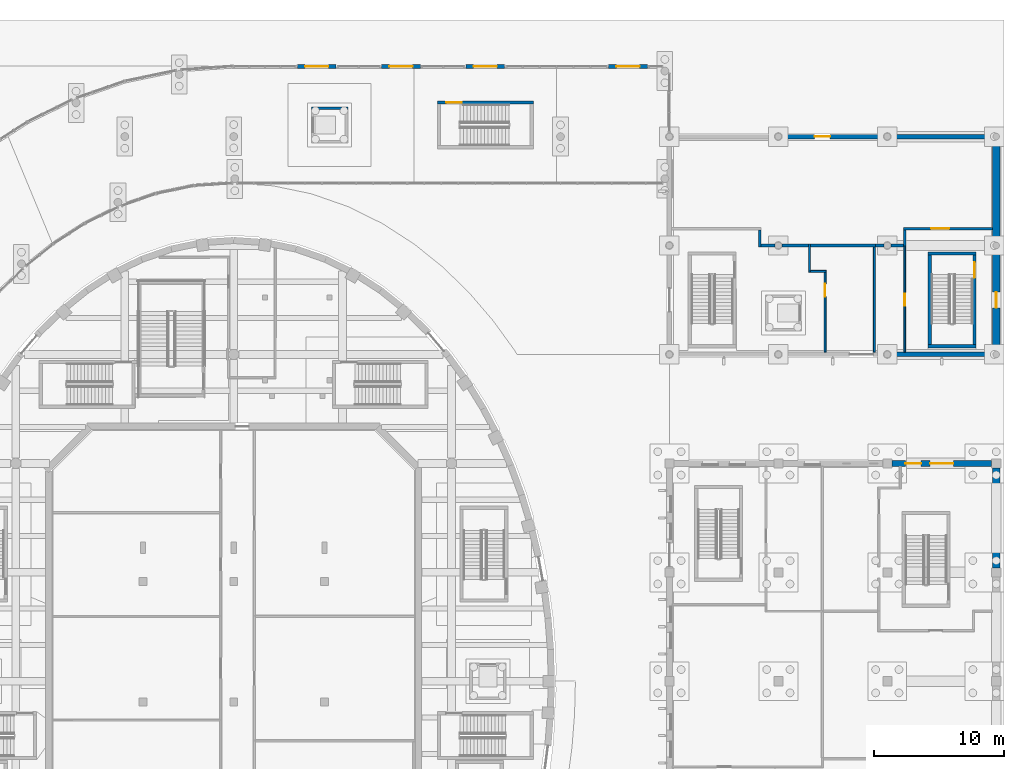
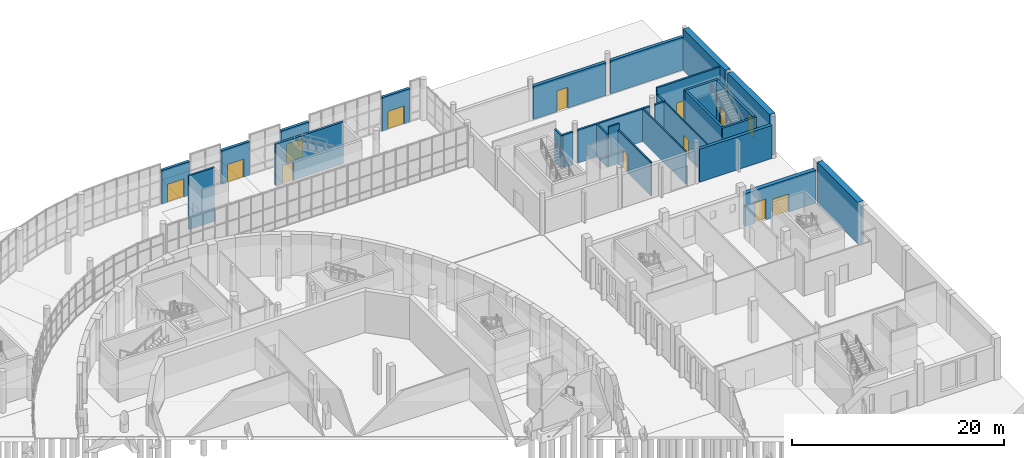
# One storey, part 68 of 110: 30 walls, 13 doors, 13 openings.
"""IFC4 building model written with IfcOpenShell, lengths in metres."""

import ifcopenshell
import ifcopenshell.guid

model = None  # the IFC model being written
_history = None  # IfcOwnerHistory: only IFC2X3 demands one
_inside = {}  # id of a spatial element -> (the spatial element, [elements in it])
_under = {}  # id of a project, library or spatial element -> (it, [spatial elements below it])
_declared = {}  # id of a project -> (the project, [libraries it declares])
_typed = {}  # id of a type object -> (the type object, [elements of that type])
_made_of = {}  # id of a material, layer set ... -> (it, [elements and type objects made of it])


def new_model(schema):
    """Start an empty IFC model of exactly this schema.

    Asked for "IFC4X3", IfcOpenShell would pick the latest addendum, in which some entities
    have other attributes; the version numbers below select the first issue.
    IFC2X3 requires an IfcOwnerHistory on every rooted entity: one is made here for all.
    """
    global model, _history
    if schema == "IFC4X3":
        model = ifcopenshell.file(schema_version=(4, 3, 0, 0))
    else:
        model = ifcopenshell.file(schema=schema)
    _inside.clear()
    _under.clear()
    _declared.clear()
    _typed.clear()
    _made_of.clear()
    _history = None
    if model.schema == "IFC2X3":
        org = make("IfcOrganization", Name="unknown")
        user = make(
            "IfcPersonAndOrganization",
            ThePerson=make("IfcPerson", FamilyName="unknown"),
            TheOrganization=org,
        )
        app = make(
            "IfcApplication",
            ApplicationDeveloper=org,
            Version="unknown",
            ApplicationFullName="unknown",
            ApplicationIdentifier="unknown",
        )
        _history = make(
            "IfcOwnerHistory",
            OwningUser=user,
            OwningApplication=app,
            ChangeAction="ADDED",
            CreationDate=0,
        )
    return model


def make(cls, **values):
    """One entity of the class cls with the attributes given. An attribute that is None is left unset."""
    return model.create_entity(
        cls, **{name: value for name, value in values.items() if value is not None}
    )


def rooted(cls, **values):
    """An entity with a GlobalId (a new one), such as an element, a storey or a relation."""
    return make(cls, GlobalId=ifcopenshell.guid.new(), OwnerHistory=_history, **values)


def si_unit(unit_type, name, prefix=None):
    """IfcSIUnit, for example si_unit("LENGTHUNIT", "METRE", prefix="MILLI")."""
    return make("IfcSIUnit", UnitType=unit_type, Prefix=prefix, Name=name)


def assignment(units):
    """IfcUnitAssignment: the units of a project."""
    return None if units is None else make("IfcUnitAssignment", Units=units)


def point(xyz):
    """IfcCartesianPoint."""
    return None if xyz is None else make("IfcCartesianPoint", Coordinates=xyz)


def direction(xyz):
    """IfcDirection."""
    return None if xyz is None else make("IfcDirection", DirectionRatios=xyz)


def frame(location, z_axis=None, x_axis=None):
    """IfcAxis2Placement3D, a coordinate frame: its origin and axes. An axis left out is left unset."""
    return make(
        "IfcAxis2Placement3D",
        Location=point(location),
        Axis=direction(z_axis),
        RefDirection=direction(x_axis),
    )


def frame_2d(location, x_axis=None):
    """IfcAxis2Placement2D, a coordinate frame in the plane: its origin and x axis."""
    return make(
        "IfcAxis2Placement2D", Location=point(location), RefDirection=direction(x_axis)
    )


def origin():
    """The frame at (0, 0, 0) with its axes left unset."""
    return frame((0.0, 0.0, 0.0))


def place(relative_to, where):
    """IfcLocalPlacement: puts the frame where relative to a parent placement (None: the world)."""
    return make(
        "IfcLocalPlacement", PlacementRelTo=relative_to, RelativePlacement=where
    )


def context(
    kind, dimensions, precision=None, world=None, true_north=None, identifier=None
):
    """IfcGeometricRepresentationContext, for example the 3D "Model" context."""
    return make(
        "IfcGeometricRepresentationContext",
        ContextIdentifier=identifier,
        ContextType=kind,
        CoordinateSpaceDimension=dimensions,
        Precision=precision,
        WorldCoordinateSystem=world,
        TrueNorth=true_north,
    )


def subcontext(parent, identifier, kind, view, scale=None):
    """IfcGeometricRepresentationSubContext, for example "Body" below "Model"."""
    return make(
        "IfcGeometricRepresentationSubContext",
        ContextIdentifier=identifier,
        ContextType=kind,
        ParentContext=parent,
        TargetScale=scale,
        TargetView=view,
    )


def project(units=None, contexts=None):
    """IfcProject with its units and contexts."""
    return rooted(
        "IfcProject",
        Name="project",
        RepresentationContexts=contexts,
        UnitsInContext=assignment(units),
    )


def spatial(cls, under=None, at=None, **own):
    """A site, building, storey or space (cls), placed at a placement, below another one or the project."""
    s = rooted(cls, ObjectPlacement=at, **own)
    if under is not None:
        _under.setdefault(under.id(), (under, []))[1].append(s)
    return s


def profile(cls, at=None, kind="AREA", **sizes):
    """A parametric profile (cls). Its sizes go by their IFC names, for example OverallWidth=200.0."""
    return make(cls, ProfileType=kind, Position=at, **sizes)


def rectangle(**sizes):
    """IfcRectangleProfileDef."""
    return profile("IfcRectangleProfileDef", **sizes)


def extrude(swept, where, along, depth):
    """IfcExtrudedAreaSolid: the profile swept, set in the frame where, extruded along a direction by depth."""
    return make(
        "IfcExtrudedAreaSolid",
        SweptArea=swept,
        Position=where,
        ExtrudedDirection=direction(along),
        Depth=depth,
    )


def shape(context_of_items, identifier, shape_type, items):
    """IfcShapeRepresentation: the items that make up one representation, for example the "Body"."""
    return make(
        "IfcShapeRepresentation",
        ContextOfItems=context_of_items,
        RepresentationIdentifier=identifier,
        RepresentationType=shape_type,
        Items=items,
    )


def material(Name=None, Category=None):
    """IfcMaterial."""
    return make("IfcMaterial", Name=Name, Category=Category)


def layer(
    of_material, thickness, ventilated=None, Name=None, Category=None, Priority=None
):
    """IfcMaterialLayer: one layer of a wall or slab, of a material (None: an air gap)."""
    return make(
        "IfcMaterialLayer",
        Material=of_material,
        LayerThickness=thickness,
        IsVentilated=ventilated,
        Name=Name,
        Category=Category,
        Priority=Priority,
    )


def layer_set(layers, Name=None):
    """IfcMaterialLayerSet."""
    return make("IfcMaterialLayerSet", MaterialLayers=layers, LayerSetName=Name)


def made_of(thing, what):
    """Note that an element or type object is made of a material, layer set ...; save() writes the relation."""
    if what is not None:
        _made_of.setdefault(what.id(), (what, []))[1].append(thing)
    return thing


def type_object(cls, material=None, **own):
    """A type object (cls), such as IfcWallType, which elements share."""
    return made_of(rooted(cls, **own), material)


def element(
    cls,
    number,
    at=None,
    inside=None,
    cuts=None,
    type_object=None,
    material=None,
    context=None,
    identifier="Body",
    shape_type=None,
    held_by="IfcProductDefinitionShape",
    body=None,
    shapes=None,
    **own,
):
    """One element of the class cls, such as IfcWall. Its Tag is "e" and its number.

    at: its placement. inside: the storey or other place that contains it. cuts: it is an
    opening in that element (IfcRelVoidsElement). A single representation is given by context,
    identifier, shape_type and body (its items); several are given by shapes. held_by: the class
    of the entity that holds the representations. save() writes the other relations.
    """
    e = rooted(cls, Tag="e%d" % number, ObjectPlacement=at, **own)
    if body is not None:
        shapes = [shape(context, identifier, shape_type, body)]
    if shapes is not None:
        e.Representation = make(held_by, Representations=shapes)
    if inside is not None:
        _inside.setdefault(inside.id(), (inside, []))[1].append(e)
    if cuts is not None:
        rooted(
            "IfcRelVoidsElement", RelatingBuildingElement=cuts, RelatedOpeningElement=e
        )
    if type_object is not None:
        _typed.setdefault(type_object.id(), (type_object, []))[1].append(e)
    return made_of(e, material)


def fill(opening, filler):
    """IfcRelFillsElement: the door or window that sits in an opening."""
    return rooted(
        "IfcRelFillsElement",
        RelatingOpeningElement=opening,
        RelatedBuildingElement=filler,
    )


def aggregate(whole, parts):
    """IfcRelAggregates: a whole, such as a stair, and the parts it consists of."""
    return rooted("IfcRelAggregates", RelatingObject=whole, RelatedObjects=parts)


def save(model, path):
    """Write the relations noted so far, then the file.

    IfcRelAggregates (storeys below a building ...), IfcRelContainedInSpatialStructure (elements
    in a storey), IfcRelDefinesByType, IfcRelAssociatesMaterial and IfcRelDeclares: one each for
    every whole, place, type object, material and project.
    """
    for whole, parts in _under.values():
        aggregate(whole, parts)
    for where, things in _inside.values():
        rooted(
            "IfcRelContainedInSpatialStructure",
            RelatedElements=things,
            RelatingStructure=where,
        )
    for kind, things in _typed.values():
        rooted("IfcRelDefinesByType", RelatedObjects=things, RelatingType=kind)
    for what, things in _made_of.values():
        rooted("IfcRelAssociatesMaterial", RelatedObjects=things, RelatingMaterial=what)
    for by, libraries in _declared.values():
        rooted("IfcRelDeclares", RelatingContext=by, RelatedDefinitions=libraries)
    model.write(path)


model = new_model("IFC4")

# Units and contexts
model_context = context("Model", 3, precision=1e-05, world=origin(), true_north=direction((0.0, 1.0)))
body_context = subcontext(model_context, "Body", "Model", "MODEL_VIEW")
ifc_project = project(units=[si_unit("LENGTHUNIT", "METRE"), si_unit("AREAUNIT", "SQUARE_METRE"), si_unit("VOLUMEUNIT", "CUBIC_METRE"), si_unit("PLANEANGLEUNIT", "RADIAN"), si_unit("MASSUNIT", "GRAM", prefix="KILO")], contexts=[model_context])

# Site, building, storey
site_placement = place(None, origin())
site = spatial("IfcSite", under=ifc_project, at=site_placement, CompositionType="ELEMENT")
building_placement = place(site_placement, origin())
building = spatial("IfcBuilding", under=site, at=building_placement, Name="Larchfold Concert Hall", CompositionType="ELEMENT")
storey_placement = place(building_placement, origin())
storey = spatial("IfcBuildingStorey", under=building, at=storey_placement, Name="L00", CompositionType="ELEMENT", Elevation=0.0)

# Walls
ifc_material_1 = material(Name="Plasterboard partition on steel studs", Category="steel")
ifc_layer_1 = layer(ifc_material_1, 0.199951171875)
ifc_layer_set_1 = layer_set([ifc_layer_1], Name="Plasterboard partition on steel studs")
wall_type_1 = type_object("IfcWallType", Name="Acoustic partition 200", PredefinedType="PARTITIONING", material=ifc_layer_set_1)
wall_1_placement = place(storey_placement, frame((83.149658203125, 119.39892578125, 0.0), z_axis=(0.0, 0.0, 1.0), x_axis=(0.005267045074, -0.999986129022, 0.0)))
element("IfcWall", 1, at=wall_1_placement, inside=storey, type_object=wall_type_1, Name="Partition IW0099", PredefinedType="PARTITIONING", context=body_context, shape_type="SweptSolid", body=[
    extrude(rectangle(XDim=1.2978515625, YDim=0.199951171875, at=frame_2d((0.64892578125, 0.0))), origin(), (0.0, 0.0, 1.0), 3.800048828125),
])
wall_2_placement = place(storey_placement, frame((83.256103515625, 118.200927734375, 0.0), z_axis=(0.0, 0.0, 1.0), x_axis=(0.999999974162, -0.000227324386, 0.0)))
element("IfcWall", 2, at=wall_2_placement, inside=storey, type_object=wall_type_1, Name="Partition IW0100", PredefinedType="PARTITIONING", context=body_context, shape_type="SweptSolid", body=[
    extrude(rectangle(XDim=1.073974609375, YDim=0.199951171875, at=frame_2d((0.537109375, 0.0))), origin(), (0.0, 0.0, 1.0), 3.800048828125),
])
wall_3_placement = place(storey_placement, frame((84.8701171875, 118.200439453125, 0.0), z_axis=(0.0, 0.0, 1.0), x_axis=(0.99999997177, -0.000237614345, 0.0)))
element("IfcWall", 3, at=wall_3_placement, inside=storey, type_object=wall_type_1, Name="Partition IW0101", PredefinedType="PARTITIONING", context=body_context, shape_type="SweptSolid", body=[
    extrude(rectangle(XDim=2.054931640625, YDim=0.199951171875, at=frame_2d((1.02734375, 0.0))), origin(), (0.0, 0.0, 1.0), 3.800048828125),
])
wall_4_placement = place(storey_placement, frame((87.074951171875, 118.199951171875, 0.0), z_axis=(0.0, 0.0, 1.0), x_axis=(1.0, 0.0, 0.0)))
element("IfcWall", 4, at=wall_4_placement, inside=storey, type_object=wall_type_1, Name="Partition IW0102", PredefinedType="PARTITIONING", context=body_context, shape_type="SweptSolid", body=[
    extrude(rectangle(XDim=5.0, YDim=0.199951171875, at=frame_2d((2.5, 0.0))), origin(), (0.0, 0.0, 1.0), 3.800048828125),
])

# Wall, opening, door
wall_5_placement = place(storey_placement, frame((94.2509765625, 119.4990234375, 0.0), z_axis=(0.0, 0.0, 1.0), x_axis=(1.0, 0.0, 0.0)))
wall_5 = element("IfcWall", 5, at=wall_5_placement, inside=storey, type_object=wall_type_1, Name="Partition IW0104", PredefinedType="PARTITIONING", context=body_context, shape_type="SweptSolid", body=[
    extrude(rectangle(XDim=6.84912109375, YDim=0.199951171875, at=frame_2d((3.424560546875, 0.0))), origin(), (0.0, 0.0, 1.0), 4.60009765625),
])
opening_1_placement = place(wall_5_placement, frame((2.123779296875, 0.0, 0.0)))
opening_1 = element("IfcOpeningElement", 6, at=opening_1_placement, cuts=wall_5, Name="Opening D-L00-134", PredefinedType="OPENING", context=body_context, shape_type="SweptSolid", body=[
    extrude(rectangle(XDim=1.39990234375, YDim=2.10009765625, at=frame_2d((0.699951171875, 1.050048828125))), frame((0.0, 0.10986328125, 0.0), z_axis=(0.0, -1.0, 0.0), x_axis=(1.0, 0.0, 0.0)), (0.0, 0.0, 1.0), 0.219970703125),
])
ifc_material_2 = material(Name="Timber door leaf", Category="wood")
door_type_1 = type_object("IfcDoorType", Name="Rehearsal room sound-lock door pair, acoustic 1400 x 2100 FD30S", OperationType="SINGLE_SWING_LEFT", PredefinedType="DOOR", material=ifc_material_2)
door_1_placement = place(opening_1_placement, origin())
door_1 = element("IfcDoor", 7, at=door_1_placement, inside=storey, type_object=door_type_1, Name="Door D-L00-134", OperationType="DOUBLE_DOOR_SINGLE_SWING", OverallHeight=2.10009765625, OverallWidth=1.39990234375, PredefinedType="DOOR", context=body_context, shape_type="SweptSolid", body=[
    extrude(rectangle(XDim=1.39990234375, YDim=2.10009765625, at=frame_2d((0.699951171875, 1.050048828125))), frame((0.0, 0.02490234375, 0.0), z_axis=(0.0, -1.0, 0.0), x_axis=(1.0, 0.0, 0.0)), (0.0, 0.0, 1.0), 0.050048828125),
])
fill(opening_1, door_1)

# Walls
wall_6_placement = place(storey_placement, frame((94.35107421875, 118.179931640625, 0.0), z_axis=(0.0, 0.0, 1.0), x_axis=(0.0, 1.0, 0.0)))
element("IfcWall", 8, at=wall_6_placement, inside=storey, type_object=wall_type_1, Name="Partition IW0105", PredefinedType="PARTITIONING", context=body_context, shape_type="SweptSolid", body=[
    extrude(rectangle(XDim=1.218994140625, YDim=0.199951171875, at=frame_2d((0.609375, 0.0))), origin(), (0.0, 0.0, 1.0), 3.800048828125),
])
wall_7_placement = place(storey_placement, frame((94.25, 118.199951171875, 0.0), z_axis=(0.0, 0.0, 1.0), x_axis=(-1.0, 0.0, 0.0)))
element("IfcWall", 9, at=wall_7_placement, inside=storey, type_object=wall_type_1, Name="Partition IW0107", PredefinedType="PARTITIONING", context=body_context, shape_type="SweptSolid", body=[
    extrude(rectangle(XDim=0.97998046875, YDim=0.199951171875, at=frame_2d((0.489990234375, 0.0))), origin(), (0.0, 0.0, 1.0), 3.800048828125),
])
wall_8_placement = place(storey_placement, frame((92.72998046875, 118.199951171875, 0.0), z_axis=(0.0, 0.0, 1.0), x_axis=(-1.0, 0.0, 0.0)))
element("IfcWall", 10, at=wall_8_placement, inside=storey, type_object=wall_type_1, Name="Partition IW0108", PredefinedType="PARTITIONING", context=body_context, shape_type="SweptSolid", body=[
    extrude(rectangle(XDim=0.655029296875, YDim=0.199951171875, at=frame_2d((0.32763671875, 0.0))), origin(), (0.0, 0.0, 1.0), 3.800048828125),
])

# Wall, openings, doors
ifc_material_3 = material(Name="Charred larch cladding on mineral wool and CLT", Category="wood")
ifc_layer_2 = layer(ifc_material_3, 0.449951171875)
ifc_layer_set_2 = layer_set([ifc_layer_2], Name="Charred larch cladding on mineral wool and CLT")
wall_type_2 = type_object("IfcWallType", Name="Charred larch infill wall 450", PredefinedType="SOLIDWALL", material=ifc_layer_set_2)
wall_9_placement = place(storey_placement, frame((101.0498046875, 101.39990234375, 0.0), z_axis=(0.0, 0.0, 1.0), x_axis=(-1.0, 0.0, 0.0)))
wall_9 = element("IfcWall", 11, at=wall_9_placement, inside=storey, type_object=wall_type_2, Name="Infill wall W5068", PredefinedType="SOLIDWALL", context=body_context, shape_type="SweptSolid", body=[
    extrude(rectangle(XDim=7.69970703125, YDim=0.449951171875, at=frame_2d((3.849853515625, 0.0))), origin(), (0.0, 0.0, 1.0), 3.800048828125),
])
opening_2_placement = place(wall_9_placement, frame((6.649658203125, 0.0, 0.0), z_axis=(0.0, 0.0, 1.0), x_axis=(-1.0, 0.0, 0.0)))
opening_2 = element("IfcOpeningElement", 12, at=opening_2_placement, cuts=wall_9, Name="Opening D-L00-222", PredefinedType="OPENING", context=body_context, shape_type="SweptSolid", body=[
    extrude(rectangle(XDim=1.199951171875, YDim=2.39990234375, at=frame_2d((0.60009765625, 1.199951171875))), frame((0.0, 0.23486328125, 0.0), z_axis=(0.0, -1.0, 0.0), x_axis=(1.0, 0.0, 0.0)), (0.0, 0.0, 1.0), 0.469970703125),
])
opening_3_placement = place(wall_9_placement, frame((4.749755859375, 0.0, 0.0), z_axis=(0.0, 0.0, 1.0), x_axis=(-1.0, 0.0, 0.0)))
opening_3 = element("IfcOpeningElement", 13, at=opening_3_placement, cuts=wall_9, Name="Opening D-L00-223", PredefinedType="OPENING", context=body_context, shape_type="SweptSolid", body=[
    extrude(rectangle(XDim=1.800048828125, YDim=2.10009765625, at=frame_2d((0.89990234375, 1.050048828125))), frame((0.0, 0.23486328125, 0.0), z_axis=(0.0, -1.0, 0.0), x_axis=(1.0, 0.0, 0.0)), (0.0, 0.0, 1.0), 0.469970703125),
])
ifc_material_4 = material(Name="Anodised graphite aluminium door leaf", Category="aluminium")
door_type_2 = type_object("IfcDoorType", Name="Exit door double 1800x2100", OperationType="DOUBLE_DOOR_SINGLE_SWING", PredefinedType="DOOR", material=ifc_material_4)
door_2_placement = place(opening_3_placement, origin())
door_2 = element("IfcDoor", 14, at=door_2_placement, inside=storey, type_object=door_type_2, Name="Door D-L00-223", OperationType="DOUBLE_DOOR_SINGLE_SWING", OverallHeight=2.10009765625, OverallWidth=1.800048828125, PredefinedType="DOOR", context=body_context, shape_type="SweptSolid", body=[
    extrude(rectangle(XDim=1.800048828125, YDim=2.10009765625, at=frame_2d((0.89990234375, 1.050048828125))), frame((0.0, 0.02490234375, 0.0), z_axis=(0.0, -1.0, 0.0), x_axis=(1.0, 0.0, 0.0)), (0.0, 0.0, 1.0), 0.050048828125),
])
fill(opening_3, door_2)
ifc_material_5 = material(Name="Anodised graphite aluminium door leaf", Category="aluminium")
door_type_3 = type_object("IfcDoorType", Name="Service door single 1200x2400", OperationType="SINGLE_SWING_LEFT", PredefinedType="DOOR", material=ifc_material_5)
door_3_placement = place(opening_2_placement, origin())
door_3 = element("IfcDoor", 15, at=door_3_placement, inside=storey, type_object=door_type_3, Name="Door D-L00-222", OperationType="SINGLE_SWING_LEFT", OverallHeight=2.39990234375, OverallWidth=1.199951171875, PredefinedType="DOOR", context=body_context, shape_type="SweptSolid", body=[
    extrude(rectangle(XDim=1.199951171875, YDim=2.39990234375, at=frame_2d((0.60009765625, 1.199951171875))), frame((0.0, 0.02490234375, 0.0), z_axis=(0.0, -1.0, 0.0), x_axis=(1.0, 0.0, 0.0)), (0.0, 0.0, 1.0), 0.050048828125),
])
fill(opening_2, door_3)

# Wall, opening, door
ifc_material_6 = material(Name="Plasterboard partition on steel studs", Category="steel")
ifc_layer_3 = layer(ifc_material_6, 0.125)
ifc_layer_set_3 = layer_set([ifc_layer_3], Name="Plasterboard partition on steel studs")
wall_type_3 = type_object("IfcWallType", Name="Corridor partition 125 EI 60", PredefinedType="PARTITIONING", material=ifc_layer_set_3)
wall_10_placement = place(storey_placement, frame((94.35107421875, 109.97509765625, 0.0), z_axis=(0.0, 0.0, 1.0), x_axis=(0.0, 1.0, 0.0)))
wall_10 = element("IfcWall", 16, at=wall_10_placement, inside=storey, type_object=wall_type_3, Name="Partition IW0106", PredefinedType="PARTITIONING", context=body_context, shape_type="SweptSolid", body=[
    extrude(rectangle(XDim=8.204833984375, YDim=0.125, at=frame_2d((4.1025390625, 0.0))), origin(), (0.0, 0.0, 1.0), 3.800048828125),
])
opening_4_placement = place(wall_10_placement, frame((3.590576171875, 0.0, 0.0)))
opening_4 = element("IfcOpeningElement", 17, at=opening_4_placement, cuts=wall_10, Name="Opening D-L00-135", PredefinedType="OPENING", context=body_context, shape_type="SweptSolid", body=[
    extrude(rectangle(XDim=0.89990234375, YDim=2.10009765625, at=frame_2d((0.449951171875, 1.050048828125))), frame((0.0, 0.072509765625, 0.0), z_axis=(0.0, -1.0, 0.0), x_axis=(1.0, 0.0, 0.0)), (0.0, 0.0, 1.0), 0.14501953125),
])
ifc_material_7 = material(Name="Timber door leaf", Category="wood")
door_type_4 = type_object("IfcDoorType", Name="Public toilet door 900 x 2100 FD30S", OperationType="SINGLE_SWING_LEFT", PredefinedType="DOOR", material=ifc_material_7)
door_4_placement = place(opening_4_placement, origin())
door_4 = element("IfcDoor", 18, at=door_4_placement, inside=storey, type_object=door_type_4, Name="Door D-L00-135", OperationType="SINGLE_SWING_LEFT", OverallHeight=2.10009765625, OverallWidth=0.89990234375, PredefinedType="DOOR", context=body_context, shape_type="SweptSolid", body=[
    extrude(rectangle(XDim=0.89990234375, YDim=2.10009765625, at=frame_2d((0.449951171875, 1.050048828125))), frame((0.0, 0.02490234375, 0.0), z_axis=(0.0, -1.0, 0.0), x_axis=(1.0, 0.0, 0.0)), (0.0, 0.0, 1.0), 0.050048828125),
])
fill(opening_4, door_4)

ifc_material_8 = material(Name="Larch cladding on mineral wool and CLT", Category="wood")
ifc_layer_4 = layer(ifc_material_8, 0.300048828125)
ifc_layer_set_4 = layer_set([ifc_layer_4], Name="Larch cladding on mineral wool and CLT")
wall_type_4 = type_object("IfcWallType", Name="Entrance bay wall 300", PredefinedType="SOLIDWALL", material=ifc_layer_set_4)
wall_11_placement = place(storey_placement, frame((50.5, 132.0, 0.0), z_axis=(0.0, 0.0, 1.0), x_axis=(-1.0, 0.0, 0.0)))
wall_11 = element("IfcWall", 19, at=wall_11_placement, inside=storey, type_object=wall_type_4, Name="Infill wall W5189", PredefinedType="SOLIDWALL", context=body_context, shape_type="SweptSolid", body=[
    extrude(rectangle(XDim=3.0, YDim=0.300048828125, at=frame_2d((1.5, 0.0))), origin(), (0.0, 0.0, 1.0), 3.89990234375),
])
opening_5_placement = place(wall_11_placement, frame((2.400146484375, 0.0, 0.0), z_axis=(0.0, 0.0, 1.0), x_axis=(-1.0, 0.0, 0.0)))
opening_5 = element("IfcOpeningElement", 20, at=opening_5_placement, cuts=wall_11, Name="Opening D-L00-235", PredefinedType="OPENING", context=body_context, shape_type="SweptSolid", body=[
    extrude(rectangle(XDim=1.800048828125, YDim=2.10009765625, at=frame_2d((0.89990234375, 1.050048828125))), frame((0.0, 0.16015625, 0.0), z_axis=(0.0, -1.0, 0.0), x_axis=(1.0, 0.0, 0.0)), (0.0, 0.0, 1.0), 0.320068359375),
])
door_5_placement = place(opening_5_placement, origin())
door_5 = element("IfcDoor", 21, at=door_5_placement, inside=storey, type_object=door_type_2, Name="Door D-L00-235", OperationType="DOUBLE_DOOR_SINGLE_SWING", OverallHeight=2.10009765625, OverallWidth=1.800048828125, PredefinedType="DOOR", context=body_context, shape_type="SweptSolid", body=[
    extrude(rectangle(XDim=1.800048828125, YDim=2.10009765625, at=frame_2d((0.89990234375, 1.050048828125))), frame((0.0, 0.02490234375, 0.0), z_axis=(0.0, -1.0, 0.0), x_axis=(1.0, 0.0, 0.0)), (0.0, 0.0, 1.0), 0.050048828125),
])
fill(opening_5, door_5)

wall_12_placement = place(storey_placement, frame((74.5, 132.0, 0.0), z_axis=(0.0, 0.0, 1.0), x_axis=(-1.0, 0.0, 0.0)))
wall_12 = element("IfcWall", 22, at=wall_12_placement, inside=storey, type_object=wall_type_4, Name="Infill wall W5190", PredefinedType="SOLIDWALL", context=body_context, shape_type="SweptSolid", body=[
    extrude(rectangle(XDim=3.0, YDim=0.300048828125, at=frame_2d((1.5, 0.0))), origin(), (0.0, 0.0, 1.0), 3.89990234375),
])
opening_6_placement = place(wall_12_placement, frame((2.400146484375, 0.0, 0.0), z_axis=(0.0, 0.0, 1.0), x_axis=(-1.0, 0.0, 0.0)))
opening_6 = element("IfcOpeningElement", 23, at=opening_6_placement, cuts=wall_12, Name="Opening D-L00-236", PredefinedType="OPENING", context=body_context, shape_type="SweptSolid", body=[
    extrude(rectangle(XDim=1.800048828125, YDim=2.10009765625, at=frame_2d((0.89990234375, 1.050048828125))), frame((0.0, 0.16015625, 0.0), z_axis=(0.0, -1.0, 0.0), x_axis=(1.0, 0.0, 0.0)), (0.0, 0.0, 1.0), 0.320068359375),
])
door_6_placement = place(opening_6_placement, origin())
door_6 = element("IfcDoor", 24, at=door_6_placement, inside=storey, type_object=door_type_2, Name="Door D-L00-236", OperationType="DOUBLE_DOOR_SINGLE_SWING", OverallHeight=2.10009765625, OverallWidth=1.800048828125, PredefinedType="DOOR", context=body_context, shape_type="SweptSolid", body=[
    extrude(rectangle(XDim=1.800048828125, YDim=2.10009765625, at=frame_2d((0.89990234375, 1.050048828125))), frame((0.0, 0.02490234375, 0.0), z_axis=(0.0, -1.0, 0.0), x_axis=(1.0, 0.0, 0.0)), (0.0, 0.0, 1.0), 0.050048828125),
])
fill(opening_6, door_6)

wall_13_placement = place(storey_placement, frame((57.0, 132.0, 0.0), z_axis=(0.0, 0.0, 1.0), x_axis=(-1.0, 0.0, 0.0)))
wall_13 = element("IfcWall", 25, at=wall_13_placement, inside=storey, type_object=wall_type_4, Name="Infill wall W5191", PredefinedType="SOLIDWALL", context=body_context, shape_type="SweptSolid", body=[
    extrude(rectangle(XDim=3.0, YDim=0.300048828125, at=frame_2d((1.5, 0.0))), origin(), (0.0, 0.0, 1.0), 3.89990234375),
])
opening_7_placement = place(wall_13_placement, frame((2.400146484375, 0.0, 0.0), z_axis=(0.0, 0.0, 1.0), x_axis=(-1.0, 0.0, 0.0)))
opening_7 = element("IfcOpeningElement", 26, at=opening_7_placement, cuts=wall_13, Name="Opening D-L00-237", PredefinedType="OPENING", context=body_context, shape_type="SweptSolid", body=[
    extrude(rectangle(XDim=1.800048828125, YDim=2.10009765625, at=frame_2d((0.89990234375, 1.050048828125))), frame((0.0, 0.16015625, 0.0), z_axis=(0.0, -1.0, 0.0), x_axis=(1.0, 0.0, 0.0)), (0.0, 0.0, 1.0), 0.320068359375),
])
door_7_placement = place(opening_7_placement, origin())
door_7 = element("IfcDoor", 27, at=door_7_placement, inside=storey, type_object=door_type_2, Name="Door D-L00-237", OperationType="DOUBLE_DOOR_SINGLE_SWING", OverallHeight=2.10009765625, OverallWidth=1.800048828125, PredefinedType="DOOR", context=body_context, shape_type="SweptSolid", body=[
    extrude(rectangle(XDim=1.800048828125, YDim=2.10009765625, at=frame_2d((0.89990234375, 1.050048828125))), frame((0.0, 0.02490234375, 0.0), z_axis=(0.0, -1.0, 0.0), x_axis=(1.0, 0.0, 0.0)), (0.0, 0.0, 1.0), 0.050048828125),
])
fill(opening_7, door_7)

wall_14_placement = place(storey_placement, frame((63.5, 132.0, 0.0), z_axis=(0.0, 0.0, 1.0), x_axis=(-1.0, 0.0, 0.0)))
wall_14 = element("IfcWall", 28, at=wall_14_placement, inside=storey, type_object=wall_type_4, Name="Infill wall W5193", PredefinedType="SOLIDWALL", context=body_context, shape_type="SweptSolid", body=[
    extrude(rectangle(XDim=3.0, YDim=0.300048828125, at=frame_2d((1.5, 0.0))), origin(), (0.0, 0.0, 1.0), 3.89990234375),
])
opening_8_placement = place(wall_14_placement, frame((2.400146484375, 0.0, 0.0), z_axis=(0.0, 0.0, 1.0), x_axis=(-1.0, 0.0, 0.0)))
opening_8 = element("IfcOpeningElement", 29, at=opening_8_placement, cuts=wall_14, Name="Opening D-L00-241", PredefinedType="OPENING", context=body_context, shape_type="SweptSolid", body=[
    extrude(rectangle(XDim=1.800048828125, YDim=2.10009765625, at=frame_2d((0.89990234375, 1.050048828125))), frame((0.0, 0.16015625, 0.0), z_axis=(0.0, -1.0, 0.0), x_axis=(1.0, 0.0, 0.0)), (0.0, 0.0, 1.0), 0.320068359375),
])
door_8_placement = place(opening_8_placement, origin())
door_8 = element("IfcDoor", 30, at=door_8_placement, inside=storey, type_object=door_type_2, Name="Door D-L00-241", OperationType="DOUBLE_DOOR_SINGLE_SWING", OverallHeight=2.10009765625, OverallWidth=1.800048828125, PredefinedType="DOOR", context=body_context, shape_type="SweptSolid", body=[
    extrude(rectangle(XDim=1.800048828125, YDim=2.10009765625, at=frame_2d((0.89990234375, 1.050048828125))), frame((0.0, 0.02490234375, 0.0), z_axis=(0.0, -1.0, 0.0), x_axis=(1.0, 0.0, 0.0)), (0.0, 0.0, 1.0), 0.050048828125),
])
fill(opening_8, door_8)

# Wall
ifc_material_9 = material(Name="White mineral panel on mineral wool")
ifc_layer_5 = layer(ifc_material_9, 0.35009765625)
ifc_layer_set_5 = layer_set([ifc_layer_5], Name="White mineral panel on mineral wool")
wall_type_5 = type_object("IfcWallType", Name="Insulated panel wall 350", PredefinedType="SOLIDWALL", material=ifc_layer_set_5)
wall_15_placement = place(storey_placement, frame((101.14892578125, 126.60009765625, 0.0), z_axis=(0.0, 0.0, 1.0), x_axis=(-1.0, 0.0, 0.0)))
element("IfcWall", 31, at=wall_15_placement, inside=storey, type_object=wall_type_5, Name="Infill wall W5108", PredefinedType="SOLIDWALL", context=body_context, shape_type="SweptSolid", body=[
    extrude(rectangle(XDim=7.89794921875, YDim=0.35009765625, at=frame_2d((3.948974609375, 0.0))), origin(), (0.0, 0.0, 1.0), 3.800048828125),
])

# Wall, opening, door
wall_16_placement = place(storey_placement, frame((92.7490234375, 126.60009765625, 0.0), z_axis=(0.0, 0.0, 1.0), x_axis=(-1.0, 0.0, 0.0)))
wall_16 = element("IfcWall", 32, at=wall_16_placement, inside=storey, type_object=wall_type_5, Name="Infill wall W5109", PredefinedType="SOLIDWALL", context=body_context, shape_type="SweptSolid", body=[
    extrude(rectangle(XDim=7.89794921875, YDim=0.35009765625, at=frame_2d((3.948974609375, 0.0))), origin(), (0.0, 0.0, 1.0), 3.800048828125),
])
opening_9_placement = place(wall_16_placement, frame((4.14892578125, 0.0, 0.0)))
opening_9 = element("IfcOpeningElement", 33, at=opening_9_placement, cuts=wall_16, Name="Opening D-L00-227", PredefinedType="OPENING", context=body_context, shape_type="SweptSolid", body=[
    extrude(rectangle(XDim=1.199951171875, YDim=2.39990234375, at=frame_2d((0.60009765625, 1.199951171875))), frame((0.0, 0.18505859375, 0.0), z_axis=(0.0, -1.0, 0.0), x_axis=(1.0, 0.0, 0.0)), (0.0, 0.0, 1.0), 0.3701171875),
])
door_9_placement = place(opening_9_placement, origin())
door_9 = element("IfcDoor", 34, at=door_9_placement, inside=storey, type_object=door_type_3, Name="Door D-L00-227", OperationType="SINGLE_SWING_LEFT", OverallHeight=2.39990234375, OverallWidth=1.199951171875, PredefinedType="DOOR", context=body_context, shape_type="SweptSolid", body=[
    extrude(rectangle(XDim=1.199951171875, YDim=2.39990234375, at=frame_2d((0.60009765625, 1.199951171875))), frame((0.0, 0.02490234375, 0.0), z_axis=(0.0, -1.0, 0.0), x_axis=(1.0, 0.0, 0.0)), (0.0, 0.0, 1.0), 0.050048828125),
])
fill(opening_9, door_9)

# Walls
wall_17_placement = place(storey_placement, frame((93.2509765625, 109.800048828125, 0.0), z_axis=(0.0, 0.0, 1.0), x_axis=(1.0, 0.0, 0.0)))
element("IfcWall", 35, at=wall_17_placement, inside=storey, type_object=wall_type_5, Name="Infill wall W5115", PredefinedType="SOLIDWALL", context=body_context, shape_type="SweptSolid", body=[
    extrude(rectangle(XDim=7.89794921875, YDim=0.35009765625, at=frame_2d((3.948974609375, 0.0))), origin(), (0.0, 0.0, 1.0), 3.800048828125),
])
ifc_material_10 = material(Name="Plasterboard partition on steel studs", Category="steel")
ifc_layer_6 = layer(ifc_material_10, 0.14990234375)
ifc_layer_set_6 = layer_set([ifc_layer_6], Name="Plasterboard partition on steel studs")
wall_type_6 = type_object("IfcWallType", Name="Shaft and plant partition 150 EI 120", PredefinedType="PARTITIONING", material=ifc_layer_set_6)
wall_18_placement = place(storey_placement, frame((87.0, 118.300048828125, 0.0), z_axis=(0.0, 0.0, 1.0), x_axis=(0.000899179135, -0.999999595738, 0.0)))
element("IfcWall", 36, at=wall_18_placement, inside=storey, type_object=wall_type_6, Name="Partition IW0095", PredefinedType="PARTITIONING", context=body_context, shape_type="SweptSolid", body=[
    extrude(rectangle(XDim=2.172119140625, YDim=0.14990234375, at=frame_2d((1.0859375, 0.0))), origin(), (0.0, 0.0, 1.0), 3.800048828125),
])
wall_19_placement = place(storey_placement, frame((87.076904296875, 116.20263671875, 0.0), z_axis=(0.0, 0.0, 1.0), x_axis=(0.999994675452, -0.003263290803, 0.0)))
element("IfcWall", 37, at=wall_19_placement, inside=storey, type_object=wall_type_6, Name="Partition IW0096", PredefinedType="PARTITIONING", context=body_context, shape_type="SweptSolid", body=[
    extrude(rectangle(XDim=1.197021484375, YDim=0.14990234375, at=frame_2d((0.5986328125, 0.0))), origin(), (0.0, 0.0, 1.0), 4.60009765625),
])

# Wall, opening, door
wall_20_placement = place(storey_placement, frame((88.198974609375, 116.1240234375, 0.0), z_axis=(0.0, 0.0, 1.0), x_axis=(0.0, -1.0, 0.0)))
wall_20 = element("IfcWall", 38, at=wall_20_placement, inside=storey, type_object=wall_type_6, Name="Partition IW0097", PredefinedType="PARTITIONING", context=body_context, shape_type="SweptSolid", body=[
    extrude(rectangle(XDim=6.14892578125, YDim=0.14990234375, at=frame_2d((3.074462890625, 0.0))), origin(), (0.0, 0.0, 1.0), 3.89990234375),
])
opening_10_placement = place(wall_20_placement, frame((0.87353515625, 0.0, 0.0)))
opening_10 = element("IfcOpeningElement", 39, at=opening_10_placement, cuts=wall_20, Name="Opening D-L00-133", PredefinedType="OPENING", context=body_context, shape_type="SweptSolid", body=[
    extrude(rectangle(XDim=1.0, YDim=2.10009765625, at=frame_2d((0.5, 1.050048828125))), frame((0.0, 0.0849609375, 0.0), z_axis=(0.0, -1.0, 0.0), x_axis=(1.0, 0.0, 0.0)), (0.0, 0.0, 1.0), 0.169921875),
])
ifc_material_11 = material(Name="Timber door leaf", Category="wood")
door_type_5 = type_object("IfcDoorType", Name="Store door 1000 x 2100 FD60", OperationType="SINGLE_SWING_LEFT", PredefinedType="DOOR", material=ifc_material_11)
door_10_placement = place(opening_10_placement, origin())
door_10 = element("IfcDoor", 40, at=door_10_placement, inside=storey, type_object=door_type_5, Name="Door D-L00-133", OperationType="SINGLE_SWING_LEFT", OverallHeight=2.10009765625, OverallWidth=1.0, PredefinedType="DOOR", context=body_context, shape_type="SweptSolid", body=[
    extrude(rectangle(XDim=1.0, YDim=2.10009765625, at=frame_2d((0.5, 1.050048828125))), frame((0.0, 0.02490234375, 0.0), z_axis=(0.0, -1.0, 0.0), x_axis=(1.0, 0.0, 0.0)), (0.0, 0.0, 1.0), 0.050048828125),
])
fill(opening_10, door_10)

# Walls
wall_21_placement = place(storey_placement, frame((92.0, 118.10009765625, 0.0), z_axis=(0.0, 0.0, 1.0), x_axis=(0.0, -1.0, 0.0)))
element("IfcWall", 41, at=wall_21_placement, inside=storey, type_object=wall_type_6, Name="Partition IW0103", PredefinedType="PARTITIONING", context=body_context, shape_type="SweptSolid", body=[
    extrude(rectangle(XDim=8.125, YDim=0.14990234375, at=frame_2d((4.0625, 0.0))), origin(), (0.0, 0.0, 1.0), 3.800048828125),
])
ifc_material_12 = material(Name="Concrete C40/50", Category="concrete")
ifc_layer_7 = layer(ifc_material_12, 0.199951171875)
ifc_layer_set_7 = layer_set([ifc_layer_7], Name="Concrete C40/50")
wall_type_7 = type_object("IfcWallType", Name="Wall RC 200 lift shaft", PredefinedType="SOLIDWALL", material=ifc_layer_set_7)
wall_22_placement = place(storey_placement, frame((48.60009765625, 128.7998046875, -1.39990234375), z_axis=(0.0, 0.0, 1.0), x_axis=(1.0, 0.0, 0.0)))
element("IfcWall", 42, at=wall_22_placement, inside=storey, type_object=wall_type_7, Name="Wall W0190", PredefinedType="SOLIDWALL", context=body_context, shape_type="SweptSolid", body=[
    extrude(rectangle(XDim=2.7998046875, YDim=0.199951171875, at=frame_2d((1.39990234375, 0.0))), origin(), (0.0, 0.0, 1.0), 6.199951171875),
])
ifc_material_13 = material(Name="Concrete C40/50", Category="concrete")
ifc_layer_8 = layer(ifc_material_13, 0.25)
ifc_layer_set_8 = layer_set([ifc_layer_8], Name="Concrete C40/50")
wall_type_8 = type_object("IfcWallType", Name="Wall RC 250 stair core", PredefinedType="SOLIDWALL", material=ifc_layer_set_8)
for number, where, z_axis, x_axis, name in (
    (43, (96.14990234375, 110.425048828125, 0.0), (0.0, 0.0, 1.0), (1.0, 0.0, 0.0), "Wall W0109"),
    (44, (96.14990234375, 117.574951171875, 0.0), (0.0, 0.0, 1.0), (1.0, 0.0, 0.0), "Wall W0110"),
):
    element("IfcWall", number, at=place(storey_placement, frame(where, z_axis=z_axis, x_axis=x_axis)), inside=storey, type_object=wall_type_8, Name=name, PredefinedType="SOLIDWALL", context=body_context, shape_type="SweptSolid", body=[
        extrude(rectangle(XDim=3.7001953125, YDim=0.25, at=frame_2d((1.85009765625, 0.0))), origin(), (0.0, 0.0, 1.0), 4.800048828125),
    ])
wall_23_placement = place(storey_placement, frame((96.27490234375, 110.550048828125, 0.0), z_axis=(0.0, 0.0, 1.0), x_axis=(0.0, 1.0, 0.0)))
element("IfcWall", 45, at=wall_23_placement, inside=storey, type_object=wall_type_8, Name="Wall W0111", PredefinedType="SOLIDWALL", context=body_context, shape_type="SweptSolid", body=[
    extrude(rectangle(XDim=6.89990234375, YDim=0.25, at=frame_2d((3.449951171875, 0.0))), origin(), (0.0, 0.0, 1.0), 4.800048828125),
])

# Wall, opening, door
wall_24_placement = place(storey_placement, frame((99.72509765625, 110.550048828125, 0.0), z_axis=(0.0, 0.0, 1.0), x_axis=(0.0, 1.0, 0.0)))
wall_24 = element("IfcWall", 46, at=wall_24_placement, inside=storey, type_object=wall_type_8, Name="Wall W0112", PredefinedType="SOLIDWALL", context=body_context, shape_type="SweptSolid", body=[
    extrude(rectangle(XDim=6.89990234375, YDim=0.25, at=frame_2d((3.449951171875, 0.0))), origin(), (0.0, 0.0, 1.0), 4.800048828125),
])
opening_11_placement = place(wall_24_placement, frame((5.14990234375, 0.0, 0.0)))
opening_11 = element("IfcOpeningElement", 47, at=opening_11_placement, cuts=wall_24, Name="Opening D-L00-173", PredefinedType="OPENING", context=body_context, shape_type="SweptSolid", body=[
    extrude(rectangle(XDim=1.199951171875, YDim=2.10009765625, at=frame_2d((0.60009765625, 1.050048828125))), frame((0.0, 0.135009765625, 0.0), z_axis=(0.0, -1.0, 0.0), x_axis=(1.0, 0.0, 0.0)), (0.0, 0.0, 1.0), 0.27001953125),
])
ifc_material_14 = material(Name="Timber door leaf", Category="wood")
door_type_6 = type_object("IfcDoorType", Name="Stair enclosure door pair 1200 x 2100 FD60", OperationType="SINGLE_SWING_LEFT", PredefinedType="DOOR", material=ifc_material_14)
door_11_placement = place(opening_11_placement, origin())
door_11 = element("IfcDoor", 48, at=door_11_placement, inside=storey, type_object=door_type_6, Name="Door D-L00-173", OperationType="DOUBLE_DOOR_SINGLE_SWING", OverallHeight=2.10009765625, OverallWidth=1.199951171875, PredefinedType="DOOR", context=body_context, shape_type="SweptSolid", body=[
    extrude(rectangle(XDim=1.199951171875, YDim=2.10009765625, at=frame_2d((0.60009765625, 1.050048828125))), frame((0.0, 0.02490234375, 0.0), z_axis=(0.0, -1.0, 0.0), x_axis=(1.0, 0.0, 0.0)), (0.0, 0.0, 1.0), 0.050048828125),
])
fill(opening_11, door_11)

wall_25_placement = place(storey_placement, frame((58.300048828125, 129.22509765625, 0.0), z_axis=(0.0, 0.0, 1.0), x_axis=(1.0, 0.0, 0.0)))
wall_25 = element("IfcWall", 49, at=wall_25_placement, inside=storey, type_object=wall_type_8, Name="Wall W0134", PredefinedType="SOLIDWALL", context=body_context, shape_type="SweptSolid", body=[
    extrude(rectangle(XDim=7.39990234375, YDim=0.25, at=frame_2d((3.699951171875, 0.0))), origin(), (0.0, 0.0, 1.0), 4.800048828125),
])
opening_12_placement = place(wall_25_placement, frame((0.7001953125, 0.0, 0.0)))
opening_12 = element("IfcOpeningElement", 50, at=opening_12_placement, cuts=wall_25, Name="Opening D-L00-179", PredefinedType="OPENING", context=body_context, shape_type="SweptSolid", body=[
    extrude(rectangle(XDim=1.199951171875, YDim=2.10009765625, at=frame_2d((0.60009765625, 1.050048828125))), frame((0.0, 0.135009765625, 0.0), z_axis=(0.0, -1.0, 0.0), x_axis=(1.0, 0.0, 0.0)), (0.0, 0.0, 1.0), 0.27001953125),
])
door_12_placement = place(opening_12_placement, origin())
door_12 = element("IfcDoor", 51, at=door_12_placement, inside=storey, type_object=door_type_6, Name="Door D-L00-179", OperationType="DOUBLE_DOOR_SINGLE_SWING", OverallHeight=2.10009765625, OverallWidth=1.199951171875, PredefinedType="DOOR", context=body_context, shape_type="SweptSolid", body=[
    extrude(rectangle(XDim=1.199951171875, YDim=2.10009765625, at=frame_2d((0.60009765625, 1.050048828125))), frame((0.0, 0.02490234375, 0.0), z_axis=(0.0, -1.0, 0.0), x_axis=(1.0, 0.0, 0.0)), (0.0, 0.0, 1.0), 0.050048828125),
])
fill(opening_12, door_12)

# Wall
ifc_material_15 = material(Name="Concrete C40/50", Category="concrete")
ifc_layer_9 = layer(ifc_material_15, 0.60009765625)
ifc_layer_set_9 = layer_set([ifc_layer_9], Name="Concrete C40/50")
wall_type_9 = type_object("IfcWallType", Name="Wall RC 600 party wall", PredefinedType="SOLIDWALL", material=ifc_layer_set_9)
wall_26_placement = place(storey_placement, frame((101.39990234375, 93.35009765625, 0.0), z_axis=(0.0, 0.0, 1.0), x_axis=(0.0, 1.0, 0.0)))
element("IfcWall", 52, at=wall_26_placement, inside=storey, type_object=wall_type_9, Name="Wall W0030", PredefinedType="SOLIDWALL", context=body_context, shape_type="SweptSolid", body=[
    extrude(rectangle(XDim=7.699951171875, YDim=0.60009765625, at=frame_2d((3.85009765625, 0.0))), origin(), (0.0, 0.0, 1.0), 4.800048828125),
])

# Wall, opening, door
wall_27_placement = place(storey_placement, frame((101.39990234375, 110.048828125, 0.0), z_axis=(0.0, 0.0, 1.0), x_axis=(0.0, 1.0, 0.0)))
wall_27 = element("IfcWall", 53, at=wall_27_placement, inside=storey, type_object=wall_type_9, Name="Wall W0031", PredefinedType="SOLIDWALL", context=body_context, shape_type="SweptSolid", body=[
    extrude(rectangle(XDim=7.90234375, YDim=0.60009765625, at=frame_2d((3.951171875, 0.0))), origin(), (0.0, 0.0, 1.0), 4.800048828125),
])
opening_13_placement = place(wall_27_placement, frame((4.551025390625, 0.0, 0.0), z_axis=(0.0, 0.0, 1.0), x_axis=(-1.0, 0.0, 0.0)))
opening_13 = element("IfcOpeningElement", 54, at=opening_13_placement, cuts=wall_27, Name="Opening D-L00-226", PredefinedType="OPENING", context=body_context, shape_type="SweptSolid", body=[
    extrude(rectangle(XDim=1.199951171875, YDim=2.10009765625, at=frame_2d((0.60009765625, 1.050048828125))), frame((0.0, 0.31005859375, 0.0), z_axis=(0.0, -1.0, 0.0), x_axis=(1.0, 0.0, 0.0)), (0.0, 0.0, 1.0), 0.6201171875),
])
ifc_material_16 = material(Name="Anodised graphite aluminium door leaf", Category="aluminium")
door_type_7 = type_object("IfcDoorType", Name="Exit door single 1200x2100", OperationType="SINGLE_SWING_LEFT", PredefinedType="DOOR", material=ifc_material_16)
door_13_placement = place(opening_13_placement, origin())
door_13 = element("IfcDoor", 55, at=door_13_placement, inside=storey, type_object=door_type_7, Name="Door D-L00-226", OperationType="SINGLE_SWING_LEFT", OverallHeight=2.10009765625, OverallWidth=1.199951171875, PredefinedType="DOOR", context=body_context, shape_type="SweptSolid", body=[
    extrude(rectangle(XDim=1.199951171875, YDim=2.10009765625, at=frame_2d((0.60009765625, 1.050048828125))), frame((0.0, 0.02490234375, 0.0), z_axis=(0.0, -1.0, 0.0), x_axis=(1.0, 0.0, 0.0)), (0.0, 0.0, 1.0), 0.050048828125),
])
fill(opening_13, door_13)

# Wall
wall_28_placement = place(storey_placement, frame((101.39990234375, 118.448974609375, 0.0), z_axis=(0.0, 0.0, 1.0), x_axis=(0.0, 1.0, 0.0)))
element("IfcWall", 56, at=wall_28_placement, inside=storey, type_object=wall_type_9, Name="Wall W0032", PredefinedType="SOLIDWALL", context=body_context, shape_type="SweptSolid", body=[
    extrude(rectangle(XDim=7.902099609375, YDim=0.60009765625, at=frame_2d((3.951171875, 0.0))), origin(), (0.0, 0.0, 1.0), 4.800048828125),
])

save(model, "model.ifc")
